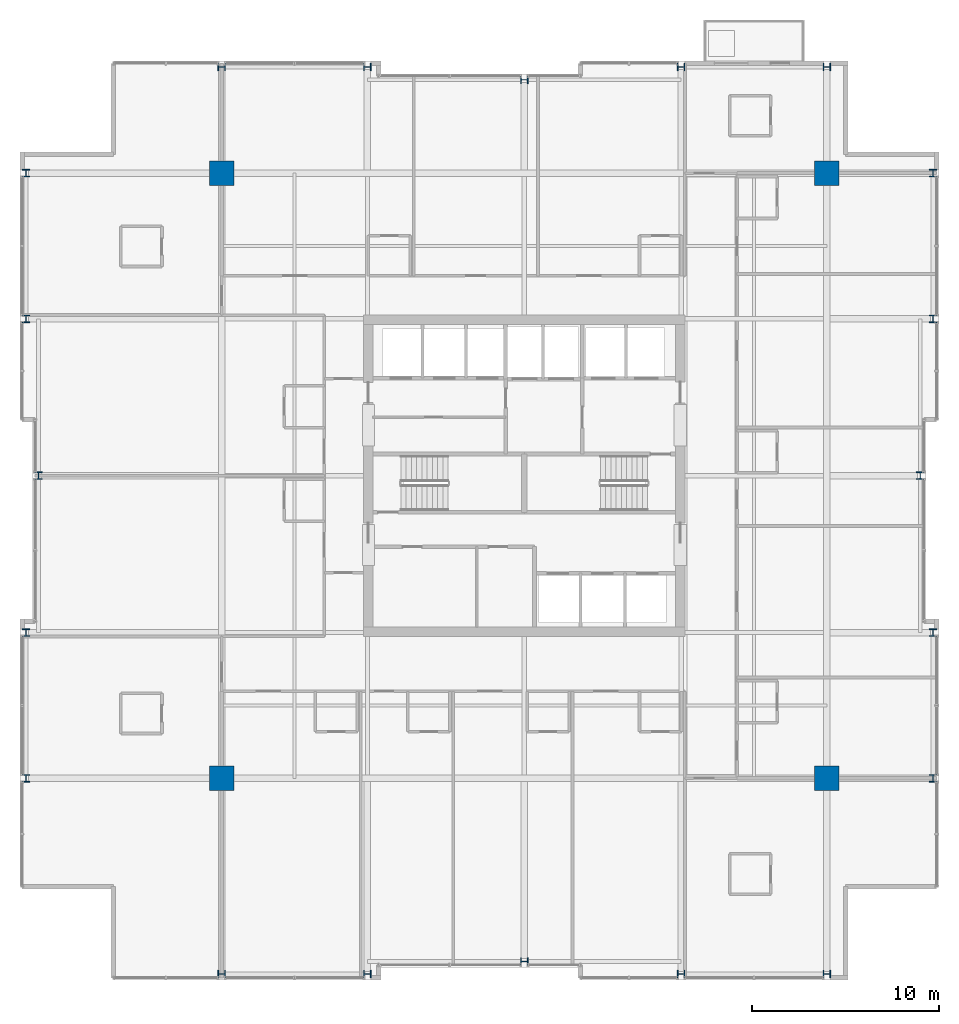
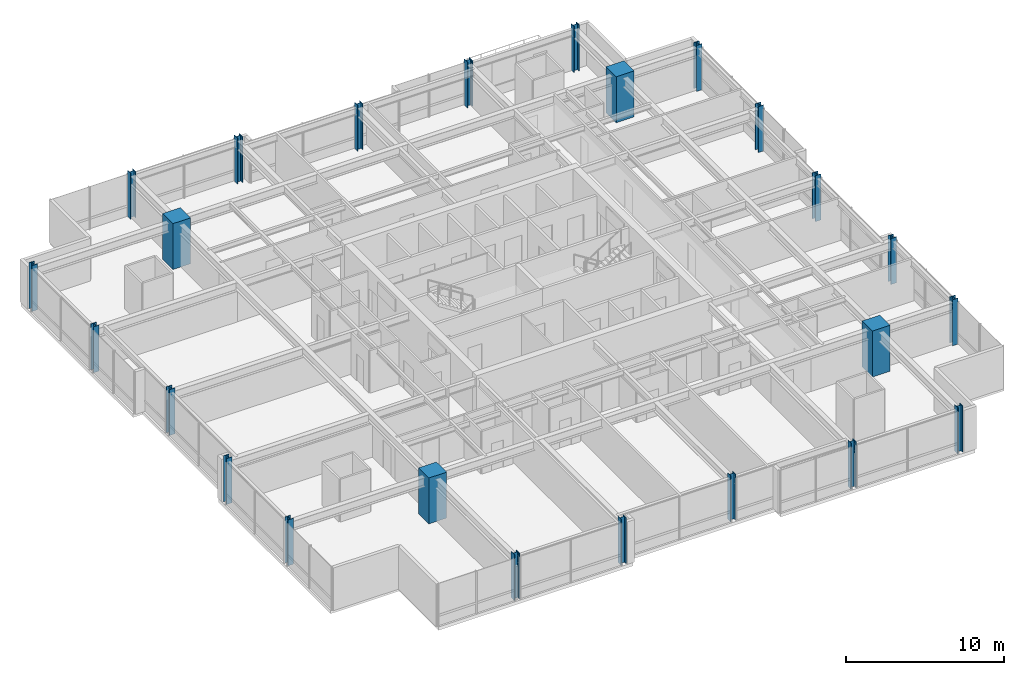
# One storey, part 1 of 33: 24 columns.
"""IFC4 building model written with IfcOpenShell, lengths in metres."""

from ifc_helpers import new_model, si_unit, direction, frame, origin, origin_2d, place, context, subcontext, project, spatial, rectangle, i_section, extrude, material, material_profile, profile_set, type_object, element, save


model = new_model("IFC4")

# Units and contexts
model_context = context("Model", 3, precision=1e-05, world=origin(), true_north=direction((0.0, 1.0)))
body_context = subcontext(model_context, "Body", "Model", "MODEL_VIEW")
ifc_project = project(units=[si_unit("LENGTHUNIT", "METRE"), si_unit("AREAUNIT", "SQUARE_METRE"), si_unit("VOLUMEUNIT", "CUBIC_METRE"), si_unit("PLANEANGLEUNIT", "RADIAN"), si_unit("MASSUNIT", "GRAM", prefix="KILO")], contexts=[model_context])

# Site, building, storey
site_placement = place(None, origin())
site = spatial("IfcSite", under=ifc_project, at=site_placement, CompositionType="ELEMENT")
building_placement = place(site_placement, origin())
building = spatial("IfcBuilding", under=site, at=building_placement, Name="Drelvath Grand Hotel", CompositionType="ELEMENT")
storey_placement = place(building_placement, frame((0.0, 0.0, 178.800048828125)))
storey = spatial("IfcBuildingStorey", under=building, at=storey_placement, Name="L46", CompositionType="ELEMENT", Elevation=178.800048828125)

# Columns
ifc_material_1 = material(Name="Concrete f'c 55 MPa", Category="concrete")
ifc_material_profile_1 = material_profile(ifc_material_1, rectangle(XDim=1.300048828125, YDim=1.300048828125, at=origin_2d()), Name="MC1300X1300")
ifc_profile_set_1 = profile_set([ifc_material_profile_1], Name="Concrete f'c 55 MPa")
column_type_1 = type_object("IfcColumnType", Name="Composite Mega Column MC1300X1300", PredefinedType="COLUMN", material=ifc_profile_set_1)
for number, where, z_axis, x_axis, name in (
    (1, (-16.199951171875, 10.800048828125, 0.0), (0.0, 0.0, 1.0), (1.0, 0.0, 0.0), "L46 Composite Mega Column MC-SW"),
    (2, (16.199951171875, 10.800048828125, 0.0), (0.0, 0.0, 1.0), (1.0, 0.0, 0.0), "L46 Composite Mega Column MC-SE"),
    (3, (-16.199951171875, 43.199951171875, 0.0), (0.0, 0.0, 1.0), (1.0, 0.0, 0.0), "L46 Composite Mega Column MC-NW"),
    (4, (16.199951171875, 43.199951171875, 0.0), (0.0, 0.0, 1.0), (1.0, 0.0, 0.0), "L46 Composite Mega Column MC-NE"),
):
    element("IfcColumn", number, at=place(storey_placement, frame(where, z_axis=z_axis, x_axis=x_axis)), inside=storey, type_object=column_type_1, Name=name, PredefinedType="COLUMN", context=body_context, shape_type="SweptSolid", body=[
        extrude(rectangle(XDim=1.300048828125, YDim=1.300048828125, at=origin_2d()), origin(), (0.0, 0.0, 1.0), 3.550048828125),
    ])
ifc_material_2 = material(Name="Steel ASTM A913 Gr 65", Category="steel")
ifc_material_profile_2 = material_profile(ifc_material_2, i_section(OverallWidth=0.4013671875, OverallDepth=0.3994140625, WebThickness=0.02490234375, FlangeThickness=0.03955078125, FilletRadius=0.02490234375, at=origin_2d()), Name="W14X211")
ifc_profile_set_2 = profile_set([ifc_material_profile_2], Name="Steel ASTM A913 Gr 65")
column_type_2 = type_object("IfcColumnType", Name="Perimeter Steel Column W14X211", PredefinedType="COLUMN", material=ifc_profile_set_2)
for number, where, z_axis, x_axis, name in (
    (5, (-26.679931640625, 10.800048828125, 0.0), (0.0, 0.0, 1.0), (1.0, 0.0, 0.0), "L46 Structural Column TCW-C"),
    (6, (21.8798828125, 10.800048828125, 0.0), (0.0, 0.0, 1.0), (1.0, 0.0, 0.0), "L46 Structural Column TCE-C"),
    (7, (-26.679931640625, 18.60009765625, 0.0), (0.0, 0.0, 1.0), (1.0, 0.0, 0.0), "L46 Structural Column TCW-D"),
    (8, (21.8798828125, 18.60009765625, 0.0), (0.0, 0.0, 1.0), (1.0, 0.0, 0.0), "L46 Structural Column TCE-D"),
    (9, (-26.0, 27.0, 0.0), (0.0, 0.0, 1.0), (1.0, 0.0, 0.0), "L46 Structural Column TCW-E"),
    (10, (21.199951171875, 27.0, 0.0), (0.0, 0.0, 1.0), (1.0, 0.0, 0.0), "L46 Structural Column TCE-E"),
    (11, (-26.679931640625, 35.39990234375, 0.0), (0.0, 0.0, 1.0), (1.0, 0.0, 0.0), "L46 Structural Column TCW-F"),
    (12, (21.8798828125, 35.39990234375, 0.0), (0.0, 0.0, 1.0), (1.0, 0.0, 0.0), "L46 Structural Column TCE-F"),
    (13, (-26.679931640625, 43.199951171875, 0.0), (0.0, 0.0, 1.0), (1.0, 0.0, 0.0), "L46 Structural Column TCW-G"),
    (14, (21.8798828125, 43.199951171875, 0.0), (0.0, 0.0, 1.0), (1.0, 0.0, 0.0), "L46 Structural Column TCE-G"),
    (15, (-16.199951171875, 0.320068359375, 0.0), (0.0, 0.0, 1.0), (0.0, 1.0, 0.0), "L46 Structural Column TCS-3"),
    (16, (-16.199951171875, 48.8798828125, 0.0), (0.0, 0.0, 1.0), (0.0, 1.0, 0.0), "L46 Structural Column TCN-3"),
    (17, (-8.39990234375, 0.320068359375, 0.0), (0.0, 0.0, 1.0), (0.0, 1.0, 0.0), "L46 Structural Column TCS-4"),
    (18, (-8.39990234375, 48.8798828125, 0.0), (0.0, 0.0, 1.0), (0.0, 1.0, 0.0), "L46 Structural Column TCN-4"),
    (19, (0.0, 1.0, 0.0), (0.0, 0.0, 1.0), (0.0, 1.0, 0.0), "L46 Structural Column TCS-5"),
    (20, (0.0, 48.199951171875, 0.0), (0.0, 0.0, 1.0), (0.0, 1.0, 0.0), "L46 Structural Column TCN-5"),
    (21, (8.39990234375, 0.320068359375, 0.0), (0.0, 0.0, 1.0), (0.0, 1.0, 0.0), "L46 Structural Column TCS-6"),
    (22, (8.39990234375, 48.8798828125, 0.0), (0.0, 0.0, 1.0), (0.0, 1.0, 0.0), "L46 Structural Column TCN-6"),
    (23, (16.199951171875, 0.320068359375, 0.0), (0.0, 0.0, 1.0), (0.0, 1.0, 0.0), "L46 Structural Column TCS-7"),
    (24, (16.199951171875, 48.8798828125, 0.0), (0.0, 0.0, 1.0), (0.0, 1.0, 0.0), "L46 Structural Column TCN-7"),
):
    element("IfcColumn", number, at=place(storey_placement, frame(where, z_axis=z_axis, x_axis=x_axis)), inside=storey, type_object=column_type_2, Name=name, PredefinedType="COLUMN", context=body_context, shape_type="SweptSolid", body=[
        extrude(i_section(OverallWidth=0.4013671875, OverallDepth=0.3994140625, WebThickness=0.02490234375, FlangeThickness=0.03955078125, FilletRadius=0.02490234375, at=origin_2d()), origin(), (0.0, 0.0, 1.0), 3.546875),
    ])

save(model, "model.ifc")
